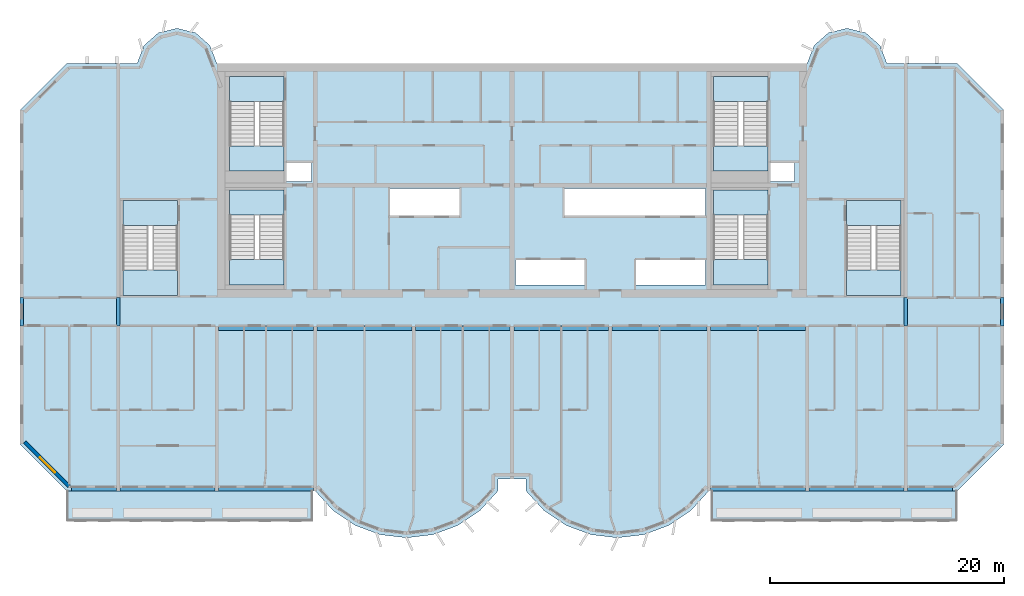
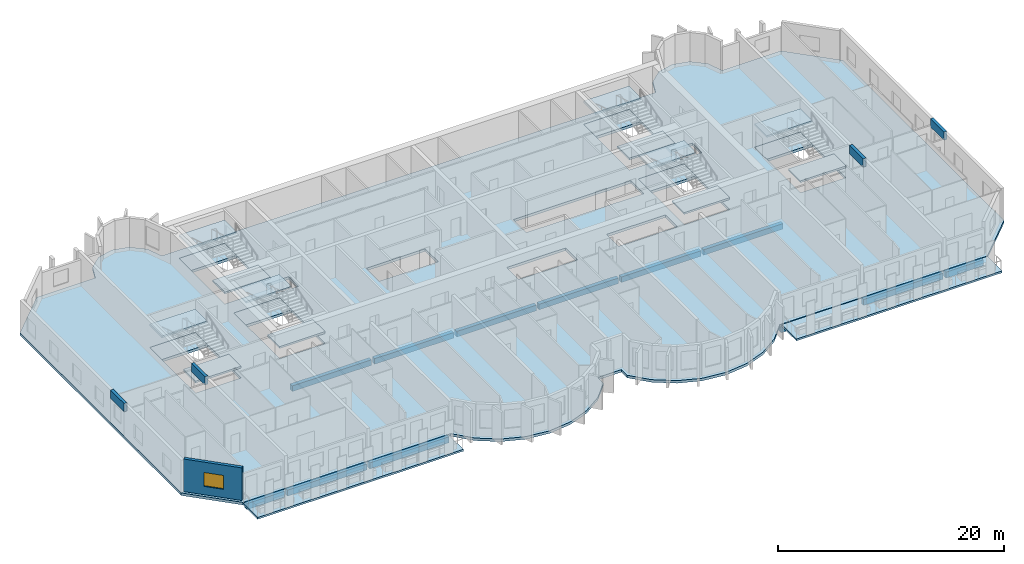
# One storey, part 1 of 13: 21 slabs, 16 beams, 1 wall, 1 window, 1 opening, 6 elements without a shape of their own.
"""IFC4 building model written with IfcOpenShell, lengths in metres."""

from ifc_helpers import new_model, si_unit, direction, frame, frame_2d, origin, origin_2d, place, context, subcontext, project, spatial, polyline, rectangle, outline, extrude, source, transform, mapped, material, layer, layer_set, material_profile, profile_set, type_object, element, fill, aggregate, save


model = new_model("IFC4")

# Units and contexts
model_context = context("Model", 3, precision=1e-05, world=origin(), true_north=direction((0.0, 1.0)))
body_context = subcontext(model_context, "Body", "Model", "MODEL_VIEW")
ifc_project = project(units=[si_unit("LENGTHUNIT", "METRE"), si_unit("AREAUNIT", "SQUARE_METRE"), si_unit("VOLUMEUNIT", "CUBIC_METRE"), si_unit("PLANEANGLEUNIT", "RADIAN"), si_unit("MASSUNIT", "GRAM", prefix="KILO")], contexts=[model_context])

# Site, building, storey
site_placement = place(None, origin())
site = spatial("IfcSite", under=ifc_project, at=site_placement, CompositionType="ELEMENT")
building_placement = place(site_placement, origin())
building = spatial("IfcBuilding", under=site, at=building_placement, Name="Vanashikhar Sky Hotel", CompositionType="ELEMENT")
storey_placement = place(building_placement, frame((0.0, 0.0, 166.800048828125)))
storey = spatial("IfcBuildingStorey", under=building, at=storey_placement, Name="L40", CompositionType="ELEMENT", Elevation=166.800048828125)

# Beams
ifc_material_1 = material(Name="Concrete M50", Category="concrete")
ifc_material_profile_1 = material_profile(ifc_material_1, rectangle(XDim=0.300048828125, YDim=0.89990234375, at=origin_2d()))
ifc_profile_set_1 = profile_set([ifc_material_profile_1], Name="RC 300x900 beam Concrete M50")
beam_type_1 = type_object("IfcBeamType", Name="RC 300x900 beam Concrete M50", PredefinedType="LINTEL", material=ifc_profile_set_1)
shared_shape_1 = source(origin(), body_context, "Body", "SweptSolid", [
    extrude(rectangle(XDim=0.300048828125, YDim=0.89990234375, at=origin_2d()), origin(), (0.0, 0.0, 1.0), 2.39990234375),
])
for number, where, z_axis, x_axis, name in (
    (1, (8.550048828125, 19.60009765625, 3.070068359375), (0.0, 1.0, 0.0), (-1.0, 0.0, 0.0), "LB-L40-XW02"),
    (2, (16.800048828125, 19.60009765625, 3.070068359375), (0.0, 1.0, 0.0), (-1.0, 0.0, 0.0), "LB-L40-XW03"),
    (3, (84.0, 19.60009765625, 3.070068359375), (0.0, 1.0, 0.0), (-1.0, 0.0, 0.0), "LB-L40-XW11"),
    (4, (92.25, 19.60009765625, 3.070068359375), (0.0, 1.0, 0.0), (-1.0, 0.0, 0.0), "LB-L40-XW12"),
):
    element("IfcBeam", number, at=place(storey_placement, frame(where, z_axis=z_axis, x_axis=x_axis)), inside=storey, type_object=beam_type_1, Name=name, PredefinedType="LINTEL", context=body_context, shape_type="MappedRepresentation", body=[
        mapped(shared_shape_1, transform((0.0, 0.0, 0.0), scale=1.0)),
    ])
ifc_material_profile_2 = material_profile(ifc_material_1, rectangle(XDim=0.39990234375, YDim=0.64990234375, at=origin_2d()))
ifc_profile_set_2 = profile_set([ifc_material_profile_2], Name="RC 400x650 beam Concrete M50")
beam_type_2 = type_object("IfcBeamType", Name="RC 400x650 beam Concrete M50", PredefinedType="BEAM", material=ifc_profile_set_2)
shared_shape_2 = source(origin(), body_context, "Body", "SweptSolid", [
    extrude(rectangle(XDim=0.39990234375, YDim=0.64990234375, at=origin_2d()), origin(), (0.0, 0.0, 1.0), 8.10009765625),
])
for number, where, z_axis, x_axis, name in (
    (5, (16.949951171875, 5.699951171875, -0.60498046875), (1.0, 0.0, 0.0), (0.0, 1.0, 0.0), "EB-L40-F01"),
    (6, (75.75, 5.699951171875, -0.60498046875), (1.0, 0.0, 0.0), (0.0, 1.0, 0.0), "EB-L40-F05"),
):
    element("IfcBeam", number, at=place(storey_placement, frame(where, z_axis=z_axis, x_axis=x_axis)), inside=storey, type_object=beam_type_2, Name=name, PredefinedType="BEAM", context=body_context, shape_type="MappedRepresentation", body=[
        mapped(shared_shape_2, transform((0.0, 0.0, 0.0), scale=1.0)),
    ])
shared_shape_3 = source(origin(), body_context, "Body", "SweptSolid", [
    extrude(rectangle(XDim=0.39990234375, YDim=0.64990234375, at=origin_2d()), origin(), (0.0, 0.0, 1.0), 8.099853515625),
])
for number, where, z_axis, x_axis, name in (
    (7, (25.35009765625, 5.699951171875, -0.60498046875), (1.0, 0.0, 0.0), (0.0, 1.0, 0.0), "EB-L40-F02"),
    (8, (67.35009765625, 5.699951171875, -0.60498046875), (1.0, 0.0, 0.0), (0.0, 1.0, 0.0), "EB-L40-F04"),
):
    element("IfcBeam", number, at=place(storey_placement, frame(where, z_axis=z_axis, x_axis=x_axis)), inside=storey, type_object=beam_type_2, Name=name, PredefinedType="BEAM", context=body_context, shape_type="MappedRepresentation", body=[
        mapped(shared_shape_3, transform((0.0, 0.0, 0.0), scale=1.0)),
    ])
ifc_material_profile_3 = material_profile(ifc_material_1, rectangle(XDim=0.39990234375, YDim=0.64990234375, at=origin_2d()))
ifc_profile_set_3 = profile_set([ifc_material_profile_3], Name="RC 400x650 cantilever beam Concrete M50")
beam_type_3 = type_object("IfcBeamType", Name="RC 400x650 cantilever beam Concrete M50", PredefinedType="SPANDREL", material=ifc_profile_set_3)
shared_shape_4 = source(origin(), body_context, "Body", "SweptSolid", [
    extrude(rectangle(XDim=0.39990234375, YDim=0.64990234375, at=origin_2d()), origin(), (0.0, 0.0, 1.0), 3.849853515625),
])
beam_1_placement = place(storey_placement, frame((12.800048828125, 5.699951171875, -0.60498046875), z_axis=(1.0, 0.0, 0.0), x_axis=(0.0, 1.0, 0.0)))
element("IfcBeam", 9, at=beam_1_placement, inside=storey, type_object=beam_type_3, Name="EB-L40-F03", PredefinedType="SPANDREL", context=body_context, shape_type="MappedRepresentation", body=[
    mapped(shared_shape_4, transform((0.0, 0.0, 0.0), scale=1.0)),
])
shared_shape_5 = source(origin(), body_context, "Body", "SweptSolid", [
    extrude(rectangle(XDim=0.39990234375, YDim=0.64990234375, at=origin_2d()), origin(), (0.0, 0.0, 1.0), 3.85009765625),
])
beam_2_placement = place(storey_placement, frame((84.14990234375, 5.699951171875, -0.60498046875), z_axis=(1.0, 0.0, 0.0), x_axis=(0.0, 1.0, 0.0)))
element("IfcBeam", 10, at=beam_2_placement, inside=storey, type_object=beam_type_3, Name="EB-L40-F06", PredefinedType="SPANDREL", context=body_context, shape_type="MappedRepresentation", body=[
    mapped(shared_shape_5, transform((0.0, 0.0, 0.0), scale=1.0)),
])
ifc_material_profile_4 = material_profile(ifc_material_1, rectangle(XDim=0.39990234375, YDim=0.60009765625, at=origin_2d()))
ifc_profile_set_4 = profile_set([ifc_material_profile_4], Name="RC 400x600 beam Concrete M50")
beam_type_4 = type_object("IfcBeamType", Name="RC 400x600 beam Concrete M50", PredefinedType="BEAM", material=ifc_profile_set_4)
shared_shape_6 = source(origin(), body_context, "Body", "SweptSolid", [
    extrude(rectangle(XDim=0.39990234375, YDim=0.60009765625, at=origin_2d()), origin(), (0.0, 0.0, 1.0), 8.099853515625),
])
for number, where, z_axis, x_axis, name in (
    (11, (25.35009765625, 19.39990234375, -0.580078125), (1.0, 0.0, 0.0), (0.0, 1.0, 0.0), "CB-L40-01"),
    (12, (50.550048828125, 19.39990234375, -0.580078125), (1.0, 0.0, 0.0), (0.0, 1.0, 0.0), "CB-L40-04"),
    (13, (67.35009765625, 19.39990234375, -0.580078125), (1.0, 0.0, 0.0), (0.0, 1.0, 0.0), "CB-L40-06"),
):
    element("IfcBeam", number, at=place(storey_placement, frame(where, z_axis=z_axis, x_axis=x_axis)), inside=storey, type_object=beam_type_4, Name=name, PredefinedType="BEAM", context=body_context, shape_type="MappedRepresentation", body=[
        mapped(shared_shape_6, transform((0.0, 0.0, 0.0), scale=1.0)),
    ])
shared_shape_7 = source(origin(), body_context, "Body", "SweptSolid", [
    extrude(rectangle(XDim=0.39990234375, YDim=0.60009765625, at=origin_2d()), origin(), (0.0, 0.0, 1.0), 8.10009765625),
])
for number, where, z_axis, x_axis, name in (
    (14, (33.75, 19.39990234375, -0.580078125), (1.0, 0.0, 0.0), (0.0, 1.0, 0.0), "CB-L40-02"),
    (15, (42.14990234375, 19.39990234375, -0.580078125), (1.0, 0.0, 0.0), (0.0, 1.0, 0.0), "CB-L40-03"),
    (16, (58.949951171875, 19.39990234375, -0.580078125), (1.0, 0.0, 0.0), (0.0, 1.0, 0.0), "CB-L40-05"),
):
    element("IfcBeam", number, at=place(storey_placement, frame(where, z_axis=z_axis, x_axis=x_axis)), inside=storey, type_object=beam_type_4, Name=name, PredefinedType="BEAM", context=body_context, shape_type="MappedRepresentation", body=[
        mapped(shared_shape_7, transform((0.0, 0.0, 0.0), scale=1.0)),
    ])

# Slabs
ifc_material_2 = material(Name="Concrete M40", Category="concrete")
ifc_layer_1 = layer(ifc_material_2, 0.280029296875)
ifc_layer_set_1 = layer_set([ifc_layer_1], Name="Floor slab 280 mm")
slab_type_1 = type_object("IfcSlabType", Name="Floor slab 280 mm", PredefinedType="FLOOR", material=ifc_layer_set_1)
shared_shape_8 = source(origin(), body_context, "Body", "SweptSolid", [
    extrude(outline(polyline([(49.199951171875, 5.5), (49.199951171875, 6.5), (51.60009765625, 6.5), (51.60009765625, 5.5), (53.133056640625, 3.825927734375), (55.01708984375, 2.55810546875), (57.14599609375, 1.76806640625), (59.39990234375, 1.5), (61.654052734375, 1.76806640625), (63.782958984375, 2.55810546875), (65.6669921875, 3.825927734375), (67.199951171875, 5.5), (88.39990234375, 5.5), (92.39990234375, 9.5), (92.39990234375, 38.0), (88.39990234375, 42.0), (82.39990234375, 42.0), (81.81494140625, 43.527099609375), (80.587890625, 44.610107421875), (79.0, 45.0), (77.412109375, 44.610107421875), (76.18505859375, 43.527099609375), (75.60009765625, 42.0), (25.199951171875, 42.0), (24.614990234375, 43.527099609375), (23.387939453125, 44.610107421875), (21.800048828125, 45.0), (20.2119140625, 44.610107421875), (18.985107421875, 43.527099609375), (18.39990234375, 42.0), (12.39990234375, 42.0), (8.39990234375, 38.0), (8.39990234375, 9.5), (12.39990234375, 5.5), (33.60009765625, 5.5), (35.133056640625, 3.825927734375), (37.01708984375, 2.55810546875), (39.14599609375, 1.76806640625), (41.39990234375, 1.5), (43.654052734375, 1.76806640625), (45.782958984375, 2.55810546875), (47.6669921875, 3.825927734375), (49.199951171875, 5.5)]), holes=[polyline([(33.300048828125, 33.60009765625), (31.050048828125, 33.60009765625), (31.050048828125, 31.89990234375), (33.300048828125, 31.89990234375), (33.300048828125, 33.60009765625)]), polyline([(39.89990234375, 31.300048828125), (39.89990234375, 29.0), (45.89990234375, 29.0), (45.89990234375, 31.300048828125), (39.89990234375, 31.300048828125)]), polyline([(50.699951171875, 25.199951171875), (50.699951171875, 23.10009765625), (56.699951171875, 23.10009765625), (56.699951171875, 25.199951171875), (50.699951171875, 25.199951171875)]), polyline([(66.89990234375, 29.0), (66.89990234375, 31.300048828125), (54.89990234375, 31.300048828125), (54.89990234375, 29.0), (66.89990234375, 29.0)]), polyline([(60.89990234375, 25.199951171875), (60.89990234375, 23.10009765625), (66.89990234375, 23.10009765625), (66.89990234375, 25.199951171875), (60.89990234375, 25.199951171875)]), polyline([(74.5, 33.60009765625), (72.35009765625, 33.60009765625), (72.35009765625, 31.89990234375), (74.5, 31.89990234375), (74.5, 33.60009765625)]), polyline([(30.949951171875, 23.10009765625), (30.949951171875, 31.199951171875), (26.300048828125, 31.199951171875), (26.300048828125, 23.10009765625), (30.949951171875, 23.10009765625)]), polyline([(72.25, 23.10009765625), (72.25, 31.199951171875), (67.60009765625, 31.199951171875), (67.60009765625, 23.10009765625), (72.25, 23.10009765625)]), polyline([(30.949951171875, 32.800048828125), (30.949951171875, 40.89990234375), (26.300048828125, 40.89990234375), (26.300048828125, 32.800048828125), (30.949951171875, 32.800048828125)]), polyline([(72.25, 32.800048828125), (72.25, 40.89990234375), (67.60009765625, 40.89990234375), (67.60009765625, 32.800048828125), (72.25, 32.800048828125)]), polyline([(83.60009765625, 22.199951171875), (83.60009765625, 30.300048828125), (78.949951171875, 30.300048828125), (78.949951171875, 22.199951171875), (83.60009765625, 22.199951171875)]), polyline([(21.85009765625, 22.199951171875), (21.85009765625, 30.300048828125), (17.199951171875, 30.300048828125), (17.199951171875, 22.199951171875), (21.85009765625, 22.199951171875)])]), origin(), (0.0, 0.0, 1.0), 0.280029296875),
])
slab_1_placement = place(storey_placement, frame((0.0, 0.0, -0.280029296875)))
element("IfcSlab", 17, at=slab_1_placement, inside=storey, type_object=slab_type_1, Name="Floor slab L40", PredefinedType="FLOOR", context=body_context, shape_type="MappedRepresentation", body=[
    mapped(shared_shape_8, transform((0.0, 0.0, 0.0), scale=1.0)),
])
ifc_layer_2 = layer(ifc_material_2, 0.199951171875)
ifc_layer_set_2 = layer_set([ifc_layer_2], Name="Balcony slab 200 mm")
slab_type_2 = type_object("IfcSlabType", Name="Balcony slab 200 mm", PredefinedType="USERDEFINED", material=ifc_layer_set_2)
shared_shape_9 = source(origin(), body_context, "Body", "SweptSolid", [
    extrude(outline(polyline([(12.39990234375, 2.89990234375), (33.39990234375, 2.89990234375), (33.39990234375, 5.5), (12.39990234375, 5.5), (12.39990234375, 2.89990234375)])), origin(), (0.0, 0.0, 1.0), 0.199951171875),
])
slab_2_placement = place(storey_placement, frame((0.0, 0.0, -0.25)))
element("IfcSlab", 18, at=slab_2_placement, inside=storey, type_object=slab_type_2, Name="Balcony slab L40 1", ObjectType="BALCONY", PredefinedType="USERDEFINED", context=body_context, shape_type="MappedRepresentation", body=[
    mapped(shared_shape_9, transform((0.0, 0.0, 0.0), scale=1.0)),
])
shared_shape_10 = source(origin(), body_context, "Body", "SweptSolid", [
    extrude(outline(polyline([(67.39990234375, 2.89990234375), (88.39990234375, 2.89990234375), (88.39990234375, 5.5), (67.39990234375, 5.5), (67.39990234375, 2.89990234375)])), origin(), (0.0, 0.0, 1.0), 0.199951171875),
])
slab_3_placement = place(storey_placement, frame((0.0, 0.0, -0.25)))
element("IfcSlab", 19, at=slab_3_placement, inside=storey, type_object=slab_type_2, Name="Balcony slab L40 2", ObjectType="BALCONY", PredefinedType="USERDEFINED", context=body_context, shape_type="MappedRepresentation", body=[
    mapped(shared_shape_10, transform((0.0, 0.0, 0.0), scale=1.0)),
])

# Stair, slabs
stair_type = type_object("IfcStairType", Name="Exit stair 2150", PredefinedType="DOUBLE_RETURN_STAIR", material=ifc_material_2)
stair_1_placement = place(storey_placement, origin())
stair_1 = element("IfcStair", 20, at=stair_1_placement, inside=storey, type_object=stair_type, Name="L40 Exit stair 1", PredefinedType="DOUBLE_RETURN_STAIR")
ifc_layer_3 = layer(ifc_material_2, 0.199951171875)
ifc_layer_set_3 = layer_set([ifc_layer_3], Name="Stair landing 200")
slab_type_3 = type_object("IfcSlabType", Name="Stair landing 200", PredefinedType="LANDING", material=ifc_layer_set_3)
shared_shape_11 = source(origin(), body_context, "Body", "SweptSolid", [
    extrude(outline(polyline([(30.949951171875, 29.050048828125), (30.949951171875, 31.199951171875), (26.300048828125, 31.199951171875), (26.300048828125, 29.050048828125), (30.949951171875, 29.050048828125)])), origin(), (0.0, 0.0, 1.0), 0.199951171875),
])
slab_4_placement = place(storey_placement, frame((0.0, 0.0, 2.333251953125)))
slab_4 = element("IfcSlab", 21, at=slab_4_placement, type_object=slab_type_3, Name="ST-C1 landing 2", PredefinedType="LANDING", context=body_context, shape_type="MappedRepresentation", body=[
    mapped(shared_shape_11, transform((0.0, 0.0, 0.0), scale=1.0)),
])
shared_shape_12 = source(origin(), body_context, "Body", "SweptSolid", [
    extrude(outline(polyline([(30.949951171875, 23.10009765625), (30.949951171875, 25.25), (26.300048828125, 25.25), (26.300048828125, 23.10009765625), (30.949951171875, 23.10009765625)])), origin(), (0.0, 0.0, 1.0), 0.199951171875),
])
slab_5_placement = place(storey_placement, frame((0.0, 0.0, 1.066650390625)))
slab_5 = element("IfcSlab", 22, at=slab_5_placement, type_object=slab_type_3, Name="ST-C1 landing 1", PredefinedType="LANDING", context=body_context, shape_type="MappedRepresentation", body=[
    mapped(shared_shape_12, transform((0.0, 0.0, 0.0), scale=1.0)),
])
aggregate(stair_1, [slab_5, slab_4])

# Slab
ifc_layer_4 = layer(ifc_material_2, 0.280029296875)
ifc_layer_set_4 = layer_set([ifc_layer_4], Name="Stair floor landing 280")
slab_type_4 = type_object("IfcSlabType", Name="Stair floor landing 280", PredefinedType="LANDING", material=ifc_layer_set_4)
shared_shape_13 = source(origin(), body_context, "Body", "SweptSolid", [
    extrude(outline(polyline([(30.949951171875, 29.050048828125), (30.949951171875, 31.199951171875), (26.300048828125, 31.199951171875), (26.300048828125, 29.050048828125), (30.949951171875, 29.050048828125)])), origin(), (0.0, 0.0, 1.0), 0.280029296875),
])
slab_6_placement = place(storey_placement, frame((0.0, 0.0, -0.280029296875)))
element("IfcSlab", 23, at=slab_6_placement, inside=storey, type_object=slab_type_4, Name="Exit stair 1 floor landing", PredefinedType="LANDING", context=body_context, shape_type="MappedRepresentation", body=[
    mapped(shared_shape_13, transform((0.0, 0.0, 0.0), scale=1.0)),
])

# Stair, slabs
stair_2_placement = place(storey_placement, origin())
stair_2 = element("IfcStair", 24, at=stair_2_placement, inside=storey, type_object=stair_type, Name="L40 Exit stair 2", PredefinedType="DOUBLE_RETURN_STAIR")
shared_shape_14 = source(origin(), body_context, "Body", "SweptSolid", [
    extrude(outline(polyline([(72.25, 29.050048828125), (72.25, 31.199951171875), (67.60009765625, 31.199951171875), (67.60009765625, 29.050048828125), (72.25, 29.050048828125)])), origin(), (0.0, 0.0, 1.0), 0.199951171875),
])
slab_7_placement = place(storey_placement, frame((0.0, 0.0, 2.333251953125)))
slab_7 = element("IfcSlab", 25, at=slab_7_placement, type_object=slab_type_3, Name="ST-C2 landing 2", PredefinedType="LANDING", context=body_context, shape_type="MappedRepresentation", body=[
    mapped(shared_shape_14, transform((0.0, 0.0, 0.0), scale=1.0)),
])
shared_shape_15 = source(origin(), body_context, "Body", "SweptSolid", [
    extrude(outline(polyline([(72.25, 23.10009765625), (72.25, 25.25), (67.60009765625, 25.25), (67.60009765625, 23.10009765625), (72.25, 23.10009765625)])), origin(), (0.0, 0.0, 1.0), 0.199951171875),
])
slab_8_placement = place(storey_placement, frame((0.0, 0.0, 1.066650390625)))
slab_8 = element("IfcSlab", 26, at=slab_8_placement, type_object=slab_type_3, Name="ST-C2 landing 1", PredefinedType="LANDING", context=body_context, shape_type="MappedRepresentation", body=[
    mapped(shared_shape_15, transform((0.0, 0.0, 0.0), scale=1.0)),
])
aggregate(stair_2, [slab_8, slab_7])

# Slab
shared_shape_16 = source(origin(), body_context, "Body", "SweptSolid", [
    extrude(outline(polyline([(72.25, 29.050048828125), (72.25, 31.199951171875), (67.60009765625, 31.199951171875), (67.60009765625, 29.050048828125), (72.25, 29.050048828125)])), origin(), (0.0, 0.0, 1.0), 0.280029296875),
])
slab_9_placement = place(storey_placement, frame((0.0, 0.0, -0.280029296875)))
element("IfcSlab", 27, at=slab_9_placement, inside=storey, type_object=slab_type_4, Name="Exit stair 2 floor landing", PredefinedType="LANDING", context=body_context, shape_type="MappedRepresentation", body=[
    mapped(shared_shape_16, transform((0.0, 0.0, 0.0), scale=1.0)),
])

# Stair, slabs
stair_3_placement = place(storey_placement, origin())
stair_3 = element("IfcStair", 28, at=stair_3_placement, inside=storey, type_object=stair_type, Name="L40 Exit stair 3", PredefinedType="DOUBLE_RETURN_STAIR")
shared_shape_17 = source(origin(), body_context, "Body", "SweptSolid", [
    extrude(outline(polyline([(21.85009765625, 28.14990234375), (21.85009765625, 30.300048828125), (17.199951171875, 30.300048828125), (17.199951171875, 28.14990234375), (21.85009765625, 28.14990234375)])), origin(), (0.0, 0.0, 1.0), 0.199951171875),
])
slab_10_placement = place(storey_placement, frame((0.0, 0.0, 2.333251953125)))
slab_10 = element("IfcSlab", 29, at=slab_10_placement, type_object=slab_type_3, Name="ST-W landing 2", PredefinedType="LANDING", context=body_context, shape_type="MappedRepresentation", body=[
    mapped(shared_shape_17, transform((0.0, 0.0, 0.0), scale=1.0)),
])
shared_shape_18 = source(origin(), body_context, "Body", "SweptSolid", [
    extrude(outline(polyline([(21.85009765625, 22.199951171875), (21.85009765625, 24.35009765625), (17.199951171875, 24.35009765625), (17.199951171875, 22.199951171875), (21.85009765625, 22.199951171875)])), origin(), (0.0, 0.0, 1.0), 0.199951171875),
])
slab_11_placement = place(storey_placement, frame((0.0, 0.0, 1.066650390625)))
slab_11 = element("IfcSlab", 30, at=slab_11_placement, type_object=slab_type_3, Name="ST-W landing 1", PredefinedType="LANDING", context=body_context, shape_type="MappedRepresentation", body=[
    mapped(shared_shape_18, transform((0.0, 0.0, 0.0), scale=1.0)),
])
aggregate(stair_3, [slab_11, slab_10])

# Slab
shared_shape_19 = source(origin(), body_context, "Body", "SweptSolid", [
    extrude(outline(polyline([(21.85009765625, 28.14990234375), (21.85009765625, 30.300048828125), (17.199951171875, 30.300048828125), (17.199951171875, 28.14990234375), (21.85009765625, 28.14990234375)])), origin(), (0.0, 0.0, 1.0), 0.280029296875),
])
slab_12_placement = place(storey_placement, frame((0.0, 0.0, -0.280029296875)))
element("IfcSlab", 31, at=slab_12_placement, inside=storey, type_object=slab_type_4, Name="Exit stair 3 floor landing", PredefinedType="LANDING", context=body_context, shape_type="MappedRepresentation", body=[
    mapped(shared_shape_19, transform((0.0, 0.0, 0.0), scale=1.0)),
])

# Stair, slabs
stair_4_placement = place(storey_placement, origin())
stair_4 = element("IfcStair", 32, at=stair_4_placement, inside=storey, type_object=stair_type, Name="L40 Exit stair 4", PredefinedType="DOUBLE_RETURN_STAIR")
shared_shape_20 = source(origin(), body_context, "Body", "SweptSolid", [
    extrude(outline(polyline([(83.60009765625, 28.14990234375), (83.60009765625, 30.300048828125), (78.949951171875, 30.300048828125), (78.949951171875, 28.14990234375), (83.60009765625, 28.14990234375)])), origin(), (0.0, 0.0, 1.0), 0.199951171875),
])
slab_13_placement = place(storey_placement, frame((0.0, 0.0, 2.333251953125)))
slab_13 = element("IfcSlab", 33, at=slab_13_placement, type_object=slab_type_3, Name="ST-E landing 2", PredefinedType="LANDING", context=body_context, shape_type="MappedRepresentation", body=[
    mapped(shared_shape_20, transform((0.0, 0.0, 0.0), scale=1.0)),
])
shared_shape_21 = source(origin(), body_context, "Body", "SweptSolid", [
    extrude(outline(polyline([(83.60009765625, 22.199951171875), (83.60009765625, 24.35009765625), (78.949951171875, 24.35009765625), (78.949951171875, 22.199951171875), (83.60009765625, 22.199951171875)])), origin(), (0.0, 0.0, 1.0), 0.199951171875),
])
slab_14_placement = place(storey_placement, frame((0.0, 0.0, 1.066650390625)))
slab_14 = element("IfcSlab", 34, at=slab_14_placement, type_object=slab_type_3, Name="ST-E landing 1", PredefinedType="LANDING", context=body_context, shape_type="MappedRepresentation", body=[
    mapped(shared_shape_21, transform((0.0, 0.0, 0.0), scale=1.0)),
])
aggregate(stair_4, [slab_14, slab_13])

# Slab
shared_shape_22 = source(origin(), body_context, "Body", "SweptSolid", [
    extrude(outline(polyline([(83.60009765625, 28.14990234375), (83.60009765625, 30.300048828125), (78.949951171875, 30.300048828125), (78.949951171875, 28.14990234375), (83.60009765625, 28.14990234375)])), origin(), (0.0, 0.0, 1.0), 0.280029296875),
])
slab_15_placement = place(storey_placement, frame((0.0, 0.0, -0.280029296875)))
element("IfcSlab", 35, at=slab_15_placement, inside=storey, type_object=slab_type_4, Name="Exit stair 4 floor landing", PredefinedType="LANDING", context=body_context, shape_type="MappedRepresentation", body=[
    mapped(shared_shape_22, transform((0.0, 0.0, 0.0), scale=1.0)),
])

# Stair, slabs
stair_5_placement = place(storey_placement, origin())
stair_5 = element("IfcStair", 36, at=stair_5_placement, inside=storey, type_object=stair_type, Name="L40 Exit stair 5", PredefinedType="DOUBLE_RETURN_STAIR")
shared_shape_23 = source(origin(), body_context, "Body", "SweptSolid", [
    extrude(outline(polyline([(30.949951171875, 38.75), (30.949951171875, 40.89990234375), (26.300048828125, 40.89990234375), (26.300048828125, 38.75), (30.949951171875, 38.75)])), origin(), (0.0, 0.0, 1.0), 0.199951171875),
])
slab_16_placement = place(storey_placement, frame((0.0, 0.0, 2.333251953125)))
slab_16 = element("IfcSlab", 37, at=slab_16_placement, type_object=slab_type_3, Name="ST-C3 landing 2", PredefinedType="LANDING", context=body_context, shape_type="MappedRepresentation", body=[
    mapped(shared_shape_23, transform((0.0, 0.0, 0.0), scale=1.0)),
])
shared_shape_24 = source(origin(), body_context, "Body", "SweptSolid", [
    extrude(outline(polyline([(30.949951171875, 32.800048828125), (30.949951171875, 34.949951171875), (26.300048828125, 34.949951171875), (26.300048828125, 32.800048828125), (30.949951171875, 32.800048828125)])), origin(), (0.0, 0.0, 1.0), 0.199951171875),
])
slab_17_placement = place(storey_placement, frame((0.0, 0.0, 1.066650390625)))
slab_17 = element("IfcSlab", 38, at=slab_17_placement, type_object=slab_type_3, Name="ST-C3 landing 1", PredefinedType="LANDING", context=body_context, shape_type="MappedRepresentation", body=[
    mapped(shared_shape_24, transform((0.0, 0.0, 0.0), scale=1.0)),
])
aggregate(stair_5, [slab_17, slab_16])

# Slab
shared_shape_25 = source(origin(), body_context, "Body", "SweptSolid", [
    extrude(outline(polyline([(30.949951171875, 38.75), (30.949951171875, 40.89990234375), (26.300048828125, 40.89990234375), (26.300048828125, 38.75), (30.949951171875, 38.75)])), origin(), (0.0, 0.0, 1.0), 0.280029296875),
])
slab_18_placement = place(storey_placement, frame((0.0, 0.0, -0.280029296875)))
element("IfcSlab", 39, at=slab_18_placement, inside=storey, type_object=slab_type_4, Name="Exit stair 5 floor landing", PredefinedType="LANDING", context=body_context, shape_type="MappedRepresentation", body=[
    mapped(shared_shape_25, transform((0.0, 0.0, 0.0), scale=1.0)),
])

# Stair, slabs
stair_6_placement = place(storey_placement, origin())
stair_6 = element("IfcStair", 40, at=stair_6_placement, inside=storey, type_object=stair_type, Name="L40 Exit stair 6", PredefinedType="DOUBLE_RETURN_STAIR")
shared_shape_26 = source(origin(), body_context, "Body", "SweptSolid", [
    extrude(outline(polyline([(72.25, 38.75), (72.25, 40.89990234375), (67.60009765625, 40.89990234375), (67.60009765625, 38.75), (72.25, 38.75)])), origin(), (0.0, 0.0, 1.0), 0.199951171875),
])
slab_19_placement = place(storey_placement, frame((0.0, 0.0, 2.333251953125)))
slab_19 = element("IfcSlab", 41, at=slab_19_placement, type_object=slab_type_3, Name="ST-C4 landing 2", PredefinedType="LANDING", context=body_context, shape_type="MappedRepresentation", body=[
    mapped(shared_shape_26, transform((0.0, 0.0, 0.0), scale=1.0)),
])
shared_shape_27 = source(origin(), body_context, "Body", "SweptSolid", [
    extrude(outline(polyline([(72.25, 32.800048828125), (72.25, 34.949951171875), (67.60009765625, 34.949951171875), (67.60009765625, 32.800048828125), (72.25, 32.800048828125)])), origin(), (0.0, 0.0, 1.0), 0.199951171875),
])
slab_20_placement = place(storey_placement, frame((0.0, 0.0, 1.066650390625)))
slab_20 = element("IfcSlab", 42, at=slab_20_placement, type_object=slab_type_3, Name="ST-C4 landing 1", PredefinedType="LANDING", context=body_context, shape_type="MappedRepresentation", body=[
    mapped(shared_shape_27, transform((0.0, 0.0, 0.0), scale=1.0)),
])
aggregate(stair_6, [slab_20, slab_19])

# Slab
shared_shape_28 = source(origin(), body_context, "Body", "SweptSolid", [
    extrude(outline(polyline([(72.25, 38.75), (72.25, 40.89990234375), (67.60009765625, 40.89990234375), (67.60009765625, 38.75), (72.25, 38.75)])), origin(), (0.0, 0.0, 1.0), 0.280029296875),
])
slab_21_placement = place(storey_placement, frame((0.0, 0.0, -0.280029296875)))
element("IfcSlab", 43, at=slab_21_placement, inside=storey, type_object=slab_type_4, Name="Exit stair 6 floor landing", PredefinedType="LANDING", context=body_context, shape_type="MappedRepresentation", body=[
    mapped(shared_shape_28, transform((0.0, 0.0, 0.0), scale=1.0)),
])

# Wall, opening, window
ifc_layer_5 = layer(ifc_material_1, 0.300048828125)
ifc_layer_set_5 = layer_set([ifc_layer_5], Name="Lobe wall 300")
wall_type = type_object("IfcWallType", Name="Lobe wall 300", PredefinedType="SOLIDWALL", material=ifc_layer_set_5)
shared_shape_29 = source(origin(), body_context, "Body", "SweptSolid", [
    extrude(rectangle(XDim=5.32568359375, YDim=0.300048828125, at=frame_2d((2.662841796875, 0.0))), origin(), (0.0, 0.0, 1.0), 3.52001953125),
])
wall_placement = place(storey_placement, frame((8.800048828125, 9.665771484375, 0.0), z_axis=(0.0, 0.0, 1.0), x_axis=(0.707083859269, -0.707129702361, 0.0)))
wall = element("IfcWall", 44, at=wall_placement, inside=storey, type_object=wall_type, Name="Corner wall", PredefinedType="SOLIDWALL", context=body_context, shape_type="MappedRepresentation", body=[
    mapped(shared_shape_29, transform((0.0, 0.0, 0.0), scale=1.0)),
])
shared_shape_30 = source(origin(), body_context, "Body", "SweptSolid", [
    extrude(rectangle(XDim=1.800048828125, YDim=1.5, at=frame_2d((0.89990234375, 0.75))), frame((0.0, 0.16015625, 0.0), z_axis=(0.0, -1.0, 0.0), x_axis=(1.0, 0.0, 0.0)), (0.0, 0.0, 1.0), 0.320068359375),
])
opening_placement = place(wall_placement, frame((1.8359375, 0.0, 0.89990234375)))
opening = element("IfcOpeningElement", 45, at=opening_placement, cuts=wall, Name="Opening WN-4", PredefinedType="OPENING", context=body_context, shape_type="MappedRepresentation", body=[
    mapped(shared_shape_30, transform((0.0, 0.0, 0.0), scale=1.0)),
])
ifc_material_3 = material(Name="Glass", Category="glass")
window_type = type_object("IfcWindowType", Name="Corner window 1800 x 1500", PartitioningType="SINGLE_PANEL", PredefinedType="WINDOW", material=ifc_material_3)
shared_shape_31 = source(origin(), body_context, "Body", "SweptSolid", [
    extrude(rectangle(XDim=1.800048828125, YDim=1.5, at=frame_2d((0.89990234375, 0.75))), frame((0.0, 0.030029296875, 0.0), z_axis=(0.0, -1.0, 0.0), x_axis=(1.0, 0.0, 0.0)), (0.0, 0.0, 1.0), 0.06005859375),
])
window_placement = place(opening_placement, origin())
window = element("IfcWindow", 46, at=window_placement, inside=storey, type_object=window_type, Name="Window WN-4", OverallHeight=1.5, OverallWidth=1.800048828125, PartitioningType="SINGLE_PANEL", PredefinedType="WINDOW", context=body_context, shape_type="MappedRepresentation", body=[
    mapped(shared_shape_31, transform((0.0, 0.0, 0.0), scale=1.0)),
])
fill(opening, window)

save(model, "model.ifc")
